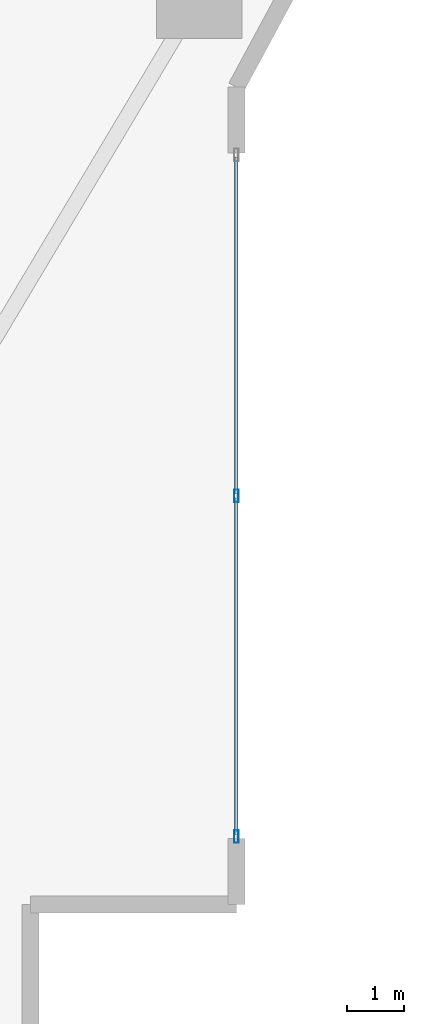
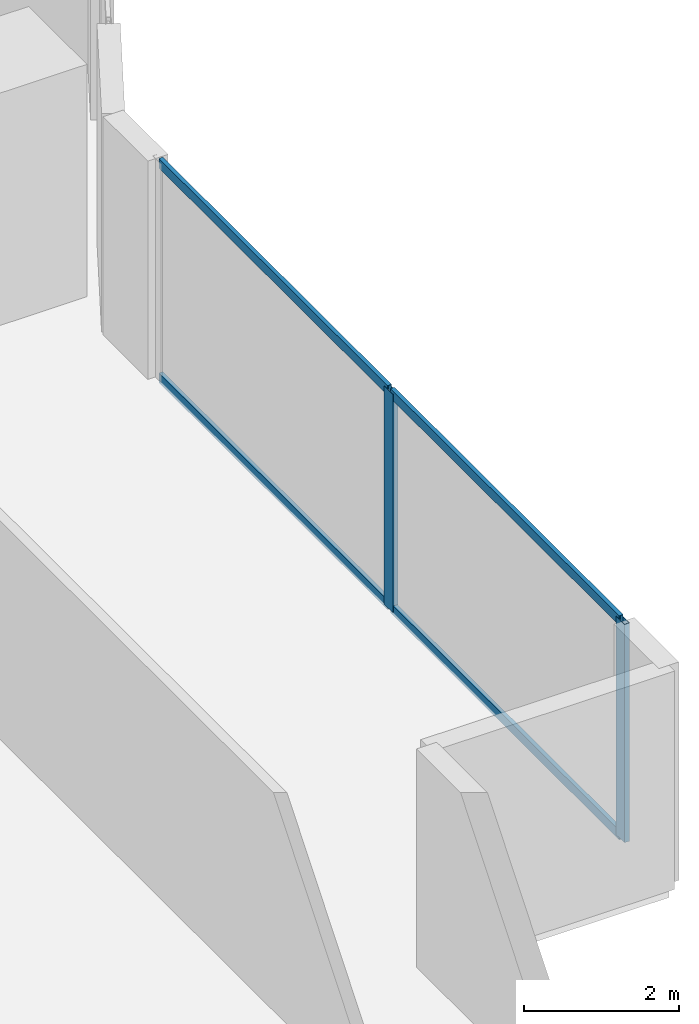
# One storey, part 10 of 28: 6 members, 1 element without a shape of its own.
"""IFC4 building model written with IfcOpenShell, lengths in metres."""

from ifc_helpers import new_model, si_unit, direction, frame, origin, origin_2d, place, context, subcontext, project, spatial, hollow_rectangle, extrude, material, layer, layer_set, material_profile, profile_set, type_object, element, aggregate, save


model = new_model("IFC4")

# Units and contexts
model_context = context("Model", 3, precision=1e-05, world=origin(), true_north=direction((0.0, 1.0)))
body_context = subcontext(model_context, "Body", "Model", "MODEL_VIEW")
ifc_project = project(units=[si_unit("LENGTHUNIT", "METRE"), si_unit("AREAUNIT", "SQUARE_METRE"), si_unit("VOLUMEUNIT", "CUBIC_METRE"), si_unit("PLANEANGLEUNIT", "RADIAN"), si_unit("MASSUNIT", "GRAM", prefix="KILO")], contexts=[model_context])

# Site, building, storey
site_placement = place(None, origin())
site = spatial("IfcSite", under=ifc_project, at=site_placement, CompositionType="ELEMENT")
building_placement = place(site_placement, origin())
building = spatial("IfcBuilding", under=site, at=building_placement, Name="Zuhayl Quay Hotel", CompositionType="ELEMENT")
storey_placement = place(building_placement, frame((0.0, 0.0, 34.89990234375)))
storey = spatial("IfcBuildingStorey", under=building, at=storey_placement, Name="L07", CompositionType="ELEMENT", Elevation=34.89990234375)

# Curtain wall, members
ifc_material_1 = material(Name="Anodised Aluminium 6063-T6", Category="aluminium")
ifc_layer = layer(ifc_material_1, 0.18994140625, Name="Anodised Aluminium 6063-T6", Category="aluminium")
ifc_layer_set = layer_set([ifc_layer], Name="Anodised Aluminium 6063-T6")
curtain_wall_type = type_object("IfcCurtainWallType", Name="CW_SYS_Z1", PredefinedType="USERDEFINED", material=ifc_layer_set)
curtain_wall_placement = place(storey_placement, origin())
curtain_wall = element("IfcCurtainWall", 1, at=curtain_wall_placement, inside=storey, type_object=curtain_wall_type, Name="L07 Curtain Wall ENV_L07_E14_CW1", ObjectType="UNITISED CURTAIN WALL", PredefinedType="USERDEFINED")
ifc_material_2 = material(Name="Black-anodised aluminium 6063-T6", Category="aluminium")
ifc_material_profile_1 = material_profile(ifc_material_2, hollow_rectangle(XDim=0.074951171875, YDim=0.219970703125, WallThickness=0.00390625, at=origin_2d()), Name="ALU220X75")
ifc_profile_set_1 = profile_set([ifc_material_profile_1], Name="Black-anodised aluminium 6063-T6")
member_type_1 = type_object("IfcMemberType", Name="MB_CW_MUL_220", PredefinedType="MULLION", material=ifc_profile_set_1)
member_1_placement = place(storey_placement, frame((25.699951171875, -12.35009765625, 0.0), z_axis=(0.0, 0.0, 1.0), x_axis=(1.0, 0.0, 0.0)))
member_1 = element("IfcMember", 2, at=member_1_placement, type_object=member_type_1, Name="CW-Z1 mullion 2", PredefinedType="MULLION", context=body_context, shape_type="SweptSolid", body=[
    extrude(hollow_rectangle(XDim=0.074951171875, YDim=0.219970703125, WallThickness=0.00390625, at=origin_2d()), origin(), (0.0, 0.0, 1.0), 3.43017578125),
])
member_2_placement = place(storey_placement, frame((25.699951171875, -18.3125, 0.0), z_axis=(0.0, 0.0, 1.0), x_axis=(1.0, 0.0, 0.0)))
member_2 = element("IfcMember", 3, at=member_2_placement, type_object=member_type_1, Name="CW-Z1 mullion 3", PredefinedType="MULLION", context=body_context, shape_type="SweptSolid", body=[
    extrude(hollow_rectangle(XDim=0.074951171875, YDim=0.219970703125, WallThickness=0.00390625, at=origin_2d()), origin(), (0.0, 0.0, 1.0), 3.43017578125),
])
ifc_material_profile_2 = material_profile(ifc_material_2, hollow_rectangle(XDim=0.06005859375, YDim=0.14990234375, WallThickness=0.00341796875, at=origin_2d()), Name="ALU150X60")
ifc_profile_set_2 = profile_set([ifc_material_profile_2], Name="Black-anodised aluminium 6063-T6")
member_type_2 = type_object("IfcMemberType", Name="MB_CW_TRN_150", PredefinedType="USERDEFINED", material=ifc_profile_set_2)
member_3_placement = place(storey_placement, frame((25.699951171875, -6.425048828125, 0.030029296875), z_axis=(0.0, -1.0, 0.0), x_axis=(1.0, 0.0, 0.0)))
member_3 = element("IfcMember", 4, at=member_3_placement, type_object=member_type_2, Name="CW-Z1 transom 1.1", ObjectType="TRANSOM", PredefinedType="USERDEFINED", context=body_context, shape_type="SweptSolid", body=[
    extrude(hollow_rectangle(XDim=0.06005859375, YDim=0.14990234375, WallThickness=0.00341796875, at=origin_2d()), origin(), (0.0, 0.0, 1.0), 5.887451171875),
])
member_4_placement = place(storey_placement, frame((25.699951171875, -6.425048828125, 3.400146484375), z_axis=(0.0, -1.0, 0.0), x_axis=(1.0, 0.0, 0.0)))
member_4 = element("IfcMember", 5, at=member_4_placement, type_object=member_type_2, Name="CW-Z1 transom 1.2", ObjectType="TRANSOM", PredefinedType="USERDEFINED", context=body_context, shape_type="SweptSolid", body=[
    extrude(hollow_rectangle(XDim=0.06005859375, YDim=0.14990234375, WallThickness=0.00341796875, at=origin_2d()), origin(), (0.0, 0.0, 1.0), 5.887451171875),
])
member_5_placement = place(storey_placement, frame((25.699951171875, -12.387451171875, 0.030029296875), z_axis=(0.0, -1.0, 0.0), x_axis=(1.0, 0.0, 0.0)))
member_5 = element("IfcMember", 6, at=member_5_placement, type_object=member_type_2, Name="CW-Z1 transom 2.1", ObjectType="TRANSOM", PredefinedType="USERDEFINED", context=body_context, shape_type="SweptSolid", body=[
    extrude(hollow_rectangle(XDim=0.06005859375, YDim=0.14990234375, WallThickness=0.00341796875, at=origin_2d()), origin(), (0.0, 0.0, 1.0), 5.887451171875),
])
member_6_placement = place(storey_placement, frame((25.699951171875, -12.387451171875, 3.400146484375), z_axis=(0.0, -1.0, 0.0), x_axis=(1.0, 0.0, 0.0)))
member_6 = element("IfcMember", 7, at=member_6_placement, type_object=member_type_2, Name="CW-Z1 transom 2.2", ObjectType="TRANSOM", PredefinedType="USERDEFINED", context=body_context, shape_type="SweptSolid", body=[
    extrude(hollow_rectangle(XDim=0.06005859375, YDim=0.14990234375, WallThickness=0.00341796875, at=origin_2d()), origin(), (0.0, 0.0, 1.0), 5.887451171875),
])
aggregate(curtain_wall, [member_1, member_2, member_3, member_4, member_5, member_6])

save(model, "model.ifc")
